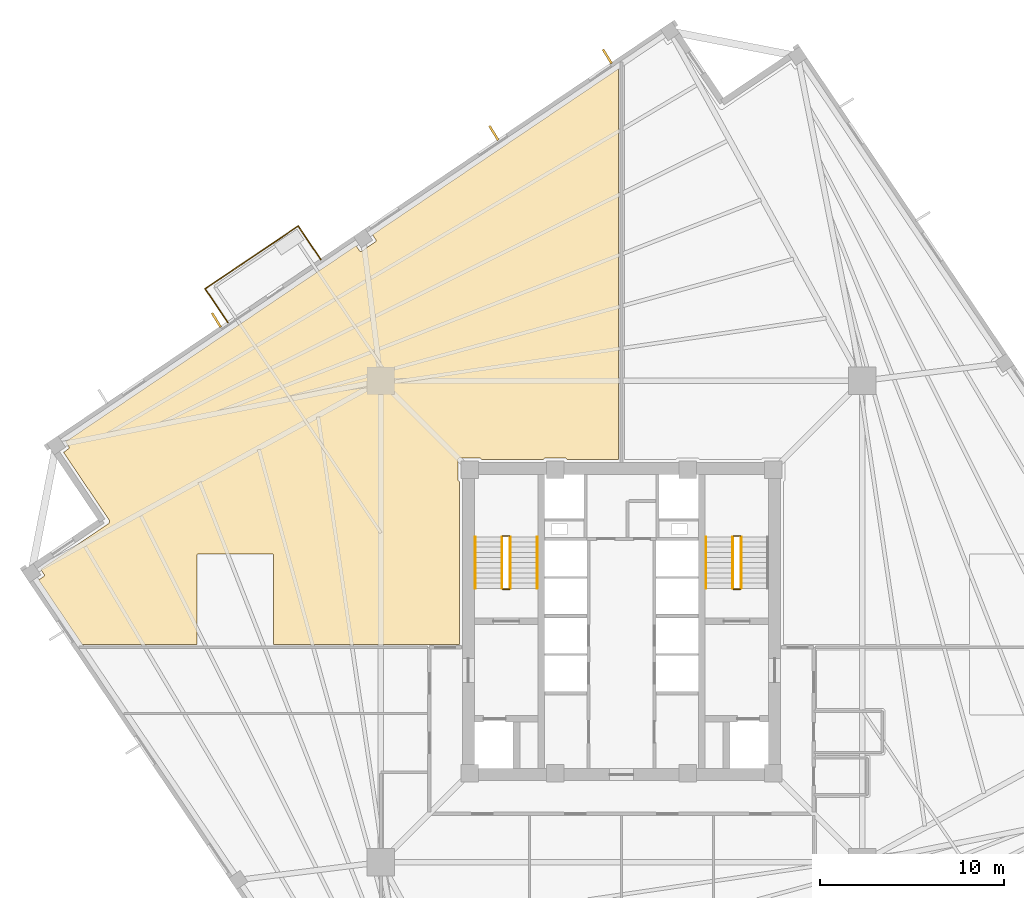
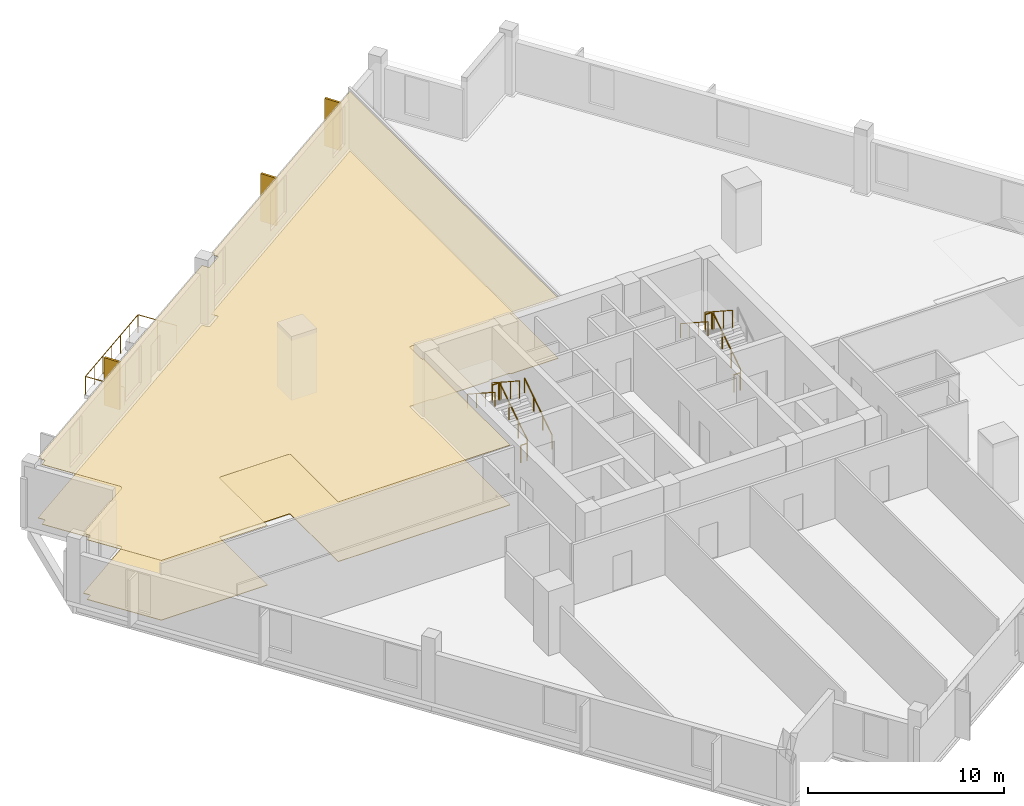
# One storey, part 7 of 8: 14 railings, 5 coverings.
"""IFC4 building model written with IfcOpenShell, lengths in metres."""

from ifc_helpers import new_model, si_unit, direction, frame, origin, origin_2d, place, context, subcontext, project, spatial, polyline, rectangle, circle, outline, extrude, source, transform, mapped, material, layer, layer_set, type_object, element, save


model = new_model("IFC4")

# Units and contexts
model_context = context("Model", 3, precision=1e-05, world=origin(), true_north=direction((0.0, 1.0)))
body_context = subcontext(model_context, "Body", "Model", "MODEL_VIEW")
ifc_project = project(units=[si_unit("LENGTHUNIT", "METRE"), si_unit("AREAUNIT", "SQUARE_METRE"), si_unit("VOLUMEUNIT", "CUBIC_METRE"), si_unit("PLANEANGLEUNIT", "RADIAN"), si_unit("MASSUNIT", "GRAM", prefix="KILO"), si_unit("THERMODYNAMICTEMPERATUREUNIT", "KELVIN")], contexts=[model_context])

# Site, building, storey
site_placement = place(None, origin())
site = spatial("IfcSite", under=ifc_project, at=site_placement, CompositionType="ELEMENT")
building_placement = place(site_placement, origin())
building = spatial("IfcBuilding", under=site, at=building_placement, Name="Kosmvard Interchange Tower", CompositionType="ELEMENT")
storey_placement = place(building_placement, frame((0.0, 0.0, 148.39990234375)))
storey = spatial("IfcBuildingStorey", under=building, at=storey_placement, Name="L35", CompositionType="ELEMENT", Elevation=148.39990234375)

# Coverings
ifc_material_1 = material(Name="Acoustic gypsum ceiling tile")
ifc_layer_1 = layer(ifc_material_1, 0.02490234375, Name="Acoustic gypsum ceiling tile")
ifc_layer_set_1 = layer_set([ifc_layer_1], Name="Acoustic gypsum ceiling tile")
covering_type_1 = type_object("IfcCoveringType", Name="Acoustic Perforated Suspended Ceiling 25", PredefinedType="CEILING", material=ifc_layer_set_1)
covering_1_placement = place(storey_placement, frame((0.0, 0.0, 3.715087890625)))
element("IfcCovering", 1, at=covering_1_placement, inside=storey, type_object=covering_type_1, Name="L35 Acoustic Ceiling L35-OPNW", PredefinedType="CEILING", context=body_context, shape_type="SweptSolid", body=[
    extrude(outline(polyline([(-27.832763671875, 5.421630859375), (-27.833984375, 5.41455078125), (-27.83544921875, 5.40673828125), (-27.837158203125, 5.3994140625), (-27.83935546875, 5.39208984375), (-27.841796875, 5.385009765625), (-27.844970703125, 5.377685546875), (-27.847900390625, 5.37109375), (-27.8515625, 5.3642578125), (-27.85546875, 5.35791015625), (-27.859619140625, 5.351318359375), (-27.864013671875, 5.345458984375), (-27.869140625, 5.33935546875), (-27.8740234375, 5.333740234375), (-27.87939453125, 5.328369140625), (-27.884765625, 5.3232421875), (-27.890869140625, 5.318115234375), (-27.89697265625, 5.313720703125), (-27.900146484375, 5.3115234375), (-31.57275390625, 2.834228515625), (-31.38525390625, 2.556640625), (-31.38134765625, 2.5498046875), (-31.3779296875, 2.542724609375), (-31.375244140625, 2.535400390625), (-31.373291015625, 2.52783203125), (-31.3720703125, 2.52001953125), (-31.37158203125, 2.51220703125), (-31.3720703125, 2.50439453125), (-31.373046875, 2.49658203125), (-31.375, 2.489013671875), (-31.377685546875, 2.481689453125), (-31.380859375, 2.474365234375), (-31.385009765625, 2.4677734375), (-31.3896484375, 2.46142578125), (-31.394775390625, 2.45556640625), (-31.400634765625, 2.4501953125), (-31.406982421875, 2.445556640625), (-31.6845703125, 2.25830078125), (-29.3251953125, -1.239990234375), (-23.080078125, -1.239990234375), (-23.080078125, 3.60009765625), (-23.07958984375, 3.60791015625), (-23.078369140625, 3.61572265625), (-23.07666015625, 3.623291015625), (-23.073974609375, 3.630615234375), (-23.070556640625, 3.6376953125), (-23.06640625, 3.64453125), (-23.061767578125, 3.650634765625), (-23.056640625, 3.656494140625), (-23.05078125, 3.661865234375), (-23.04443359375, 3.66650390625), (-23.03759765625, 3.670654296875), (-23.030517578125, 3.673828125), (-23.023193359375, 3.676513671875), (-23.015625, 3.678466796875), (-23.0078125, 3.6796875), (-23.0, 3.679931640625), (-19.0, 3.679931640625), (-18.9921875, 3.6796875), (-18.984375, 3.678466796875), (-18.976806640625, 3.676513671875), (-18.969482421875, 3.673828125), (-18.96240234375, 3.670654296875), (-18.95556640625, 3.66650390625), (-18.94921875, 3.661865234375), (-18.943359375, 3.656494140625), (-18.938232421875, 3.650634765625), (-18.93359375, 3.64453125), (-18.929443359375, 3.6376953125), (-18.926025390625, 3.630615234375), (-18.92333984375, 3.623291015625), (-18.921630859375, 3.61572265625), (-18.92041015625, 3.60791015625), (-18.919921875, 3.60009765625), (-18.919921875, -1.239990234375), (-10.10009765625, -1.239990234375), (-10.09619140625, -1.239990234375), (-10.088623046875, -1.240478515625), (-10.080810546875, -1.2412109375), (-10.07373046875, -1.242431640625), (-10.06591796875, -1.243896484375), (-10.061279296875, -1.2451171875), (-8.804931640625, -1.2451171875), (-8.804931640625, 7.614990234375), (-8.812744140625, 7.615478515625), (-8.820556640625, 7.616455078125), (-8.828125, 7.618408203125), (-8.835693359375, 7.62109375), (-8.8427734375, 7.62451171875), (-8.849365234375, 7.62841796875), (-8.855712890625, 7.633056640625), (-8.861572265625, 7.638427734375), (-8.866943359375, 7.644287109375), (-8.87158203125, 7.650634765625), (-8.87548828125, 7.6572265625), (-8.87890625, 7.664306640625), (-8.881591796875, 7.671875), (-8.883544921875, 7.679443359375), (-8.884521484375, 7.687255859375), (-8.885009765625, 7.695068359375), (-8.885009765625, 8.804931640625), (-8.884521484375, 8.812744140625), (-8.883544921875, 8.820556640625), (-8.881591796875, 8.828125), (-8.87890625, 8.835693359375), (-8.87548828125, 8.8427734375), (-8.87158203125, 8.849365234375), (-8.866943359375, 8.855712890625), (-8.861572265625, 8.861572265625), (-8.855712890625, 8.866943359375), (-8.849365234375, 8.87158203125), (-8.8427734375, 8.87548828125), (-8.835693359375, 8.87890625), (-8.828125, 8.881591796875), (-8.820556640625, 8.883544921875), (-8.812744140625, 8.884521484375), (-8.804931640625, 8.885009765625), (-7.695068359375, 8.885009765625), (-7.687255859375, 8.884521484375), (-7.679443359375, 8.883544921875), (-7.671875, 8.881591796875), (-7.664306640625, 8.87890625), (-7.6572265625, 8.87548828125), (-7.650634765625, 8.87158203125), (-7.644287109375, 8.866943359375), (-7.638427734375, 8.861572265625), (-7.633056640625, 8.855712890625), (-7.62841796875, 8.849365234375), (-7.62451171875, 8.8427734375), (-7.62109375, 8.835693359375), (-7.618408203125, 8.828125), (-7.616455078125, 8.820556640625), (-7.615478515625, 8.812744140625), (-7.614990234375, 8.804931640625), (-4.235107421875, 8.804931640625), (-4.234619140625, 8.812744140625), (-4.2333984375, 8.820556640625), (-4.2314453125, 8.828125), (-4.22900390625, 8.835693359375), (-4.2255859375, 8.8427734375), (-4.221435546875, 8.849365234375), (-4.216796875, 8.855712890625), (-4.211669921875, 8.861572265625), (-4.205810546875, 8.866943359375), (-4.199462890625, 8.87158203125), (-4.192626953125, 8.87548828125), (-4.185546875, 8.87890625), (-4.17822265625, 8.881591796875), (-4.170654296875, 8.883544921875), (-4.162841796875, 8.884521484375), (-4.155029296875, 8.885009765625), (-3.044921875, 8.885009765625), (-3.037109375, 8.884521484375), (-3.029296875, 8.883544921875), (-3.021728515625, 8.881591796875), (-3.014404296875, 8.87890625), (-3.00732421875, 8.87548828125), (-3.00048828125, 8.87158203125), (-2.994140625, 8.866943359375), (-2.988525390625, 8.861572265625), (-2.983154296875, 8.855712890625), (-2.978515625, 8.849365234375), (-2.974365234375, 8.8427734375), (-2.97119140625, 8.835693359375), (-2.968505859375, 8.828125), (-2.966552734375, 8.820556640625), (-2.96533203125, 8.812744140625), (-2.965087890625, 8.804931640625), (-0.159912109375, 8.804931640625), (-0.159912109375, 30.053466796875), (-13.5390625, 21.029296875), (-13.351806640625, 20.75146484375), (-13.34765625, 20.744873046875), (-13.34423828125, 20.73779296875), (-13.341552734375, 20.73046875), (-13.339599609375, 20.72265625), (-13.33837890625, 20.715087890625), (-13.338134765625, 20.70703125), (-13.33837890625, 20.69921875), (-13.339599609375, 20.69140625), (-13.34130859375, 20.683837890625), (-13.343994140625, 20.676513671875), (-13.347412109375, 20.66943359375), (-13.351318359375, 20.66259765625), (-13.35595703125, 20.65625), (-13.361328125, 20.650390625), (-13.366943359375, 20.645263671875), (-13.373291015625, 20.640380859375), (-14.127685546875, 20.131591796875), (-14.134521484375, 20.12744140625), (-14.1416015625, 20.124267578125), (-14.14892578125, 20.12158203125), (-14.156494140625, 20.11962890625), (-14.164306640625, 20.118408203125), (-14.172119140625, 20.117919921875), (-14.179931640625, 20.1181640625), (-14.187744140625, 20.119384765625), (-14.1953125, 20.121337890625), (-14.202880859375, 20.123779296875), (-14.2099609375, 20.127197265625), (-14.216552734375, 20.131103515625), (-14.222900390625, 20.1357421875), (-14.228759765625, 20.14111328125), (-14.234130859375, 20.14697265625), (-14.23876953125, 20.153076171875), (-14.42626953125, 20.430908203125), (-30.223388671875, 9.775390625), (-30.0361328125, 9.497802734375), (-30.031982421875, 9.490966796875), (-30.028564453125, 9.48388671875), (-30.02587890625, 9.4765625), (-30.024169921875, 9.468994140625), (-30.02294921875, 9.461181640625), (-30.0224609375, 9.453369140625), (-30.022705078125, 9.445556640625), (-30.02392578125, 9.437744140625), (-30.02587890625, 9.43017578125), (-30.0283203125, 9.4228515625), (-30.03173828125, 9.41552734375), (-30.03564453125, 9.408935546875), (-30.040283203125, 9.402587890625), (-30.045654296875, 9.396728515625), (-30.051513671875, 9.391357421875), (-30.0576171875, 9.38671875), (-30.33544921875, 9.199462890625), (-27.858154296875, 5.52685546875), (-27.856201171875, 5.5234375), (-27.852294921875, 5.51708984375), (-27.8486328125, 5.51025390625), (-27.845458984375, 5.503662109375), (-27.84228515625, 5.496337890625), (-27.83984375, 5.489501953125), (-27.837646484375, 5.48193359375), (-27.835693359375, 5.474853515625), (-27.834228515625, 5.467041015625), (-27.8330078125, 5.459716796875), (-27.832275390625, 5.451904296875), (-27.831787109375, 5.444580078125), (-27.831787109375, 5.436767578125), (-27.83203125, 5.429443359375), (-27.832763671875, 5.421630859375)])), origin(), (0.0, 0.0, 1.0), 0.02490234375),
])
ifc_material_2 = material(Name="Polished terrazzo flooring")
ifc_layer_2 = layer(ifc_material_2, 0.030029296875, Name="Polished terrazzo flooring")
ifc_layer_set_2 = layer_set([ifc_layer_2], Name="Polished terrazzo flooring")
covering_type_2 = type_object("IfcCoveringType", Name="Heavy-Duty Terrazzo & Porcelain Flooring 30", PredefinedType="FLOORING", material=ifc_layer_set_2)
covering_2_placement = place(storey_placement, origin())
element("IfcCovering", 2, at=covering_2_placement, inside=storey, type_object=covering_type_2, Name="L35 Floor Finish L35-OPNW", PredefinedType="FLOORING", context=body_context, shape_type="SweptSolid", body=[
    extrude(outline(polyline([(-27.832763671875, 5.421630859375), (-27.833984375, 5.41455078125), (-27.83544921875, 5.40673828125), (-27.837158203125, 5.3994140625), (-27.83935546875, 5.39208984375), (-27.841796875, 5.385009765625), (-27.844970703125, 5.377685546875), (-27.847900390625, 5.37109375), (-27.8515625, 5.3642578125), (-27.85546875, 5.35791015625), (-27.859619140625, 5.351318359375), (-27.864013671875, 5.345458984375), (-27.869140625, 5.33935546875), (-27.8740234375, 5.333740234375), (-27.87939453125, 5.328369140625), (-27.884765625, 5.3232421875), (-27.890869140625, 5.318115234375), (-27.89697265625, 5.313720703125), (-27.900146484375, 5.3115234375), (-31.57275390625, 2.834228515625), (-31.38525390625, 2.556640625), (-31.38134765625, 2.5498046875), (-31.3779296875, 2.542724609375), (-31.375244140625, 2.535400390625), (-31.373291015625, 2.52783203125), (-31.3720703125, 2.52001953125), (-31.37158203125, 2.51220703125), (-31.3720703125, 2.50439453125), (-31.373046875, 2.49658203125), (-31.375, 2.489013671875), (-31.377685546875, 2.481689453125), (-31.380859375, 2.474365234375), (-31.385009765625, 2.4677734375), (-31.3896484375, 2.46142578125), (-31.394775390625, 2.45556640625), (-31.400634765625, 2.4501953125), (-31.406982421875, 2.445556640625), (-31.6845703125, 2.25830078125), (-29.3251953125, -1.239990234375), (-23.080078125, -1.239990234375), (-23.080078125, 3.60009765625), (-23.07958984375, 3.60791015625), (-23.078369140625, 3.61572265625), (-23.07666015625, 3.623291015625), (-23.073974609375, 3.630615234375), (-23.070556640625, 3.6376953125), (-23.06640625, 3.64453125), (-23.061767578125, 3.650634765625), (-23.056640625, 3.656494140625), (-23.05078125, 3.661865234375), (-23.04443359375, 3.66650390625), (-23.03759765625, 3.670654296875), (-23.030517578125, 3.673828125), (-23.023193359375, 3.676513671875), (-23.015625, 3.678466796875), (-23.0078125, 3.6796875), (-23.0, 3.679931640625), (-19.0, 3.679931640625), (-18.9921875, 3.6796875), (-18.984375, 3.678466796875), (-18.976806640625, 3.676513671875), (-18.969482421875, 3.673828125), (-18.96240234375, 3.670654296875), (-18.95556640625, 3.66650390625), (-18.94921875, 3.661865234375), (-18.943359375, 3.656494140625), (-18.938232421875, 3.650634765625), (-18.93359375, 3.64453125), (-18.929443359375, 3.6376953125), (-18.926025390625, 3.630615234375), (-18.92333984375, 3.623291015625), (-18.921630859375, 3.61572265625), (-18.92041015625, 3.60791015625), (-18.919921875, 3.60009765625), (-18.919921875, -1.239990234375), (-10.10009765625, -1.239990234375), (-10.09619140625, -1.239990234375), (-10.088623046875, -1.240478515625), (-10.080810546875, -1.2412109375), (-10.07373046875, -1.242431640625), (-10.06591796875, -1.243896484375), (-10.061279296875, -1.2451171875), (-8.804931640625, -1.2451171875), (-8.804931640625, 7.614990234375), (-8.812744140625, 7.615478515625), (-8.820556640625, 7.616455078125), (-8.828125, 7.618408203125), (-8.835693359375, 7.62109375), (-8.8427734375, 7.62451171875), (-8.849365234375, 7.62841796875), (-8.855712890625, 7.633056640625), (-8.861572265625, 7.638427734375), (-8.866943359375, 7.644287109375), (-8.87158203125, 7.650634765625), (-8.87548828125, 7.6572265625), (-8.87890625, 7.664306640625), (-8.881591796875, 7.671875), (-8.883544921875, 7.679443359375), (-8.884521484375, 7.687255859375), (-8.885009765625, 7.695068359375), (-8.885009765625, 8.804931640625), (-8.884521484375, 8.812744140625), (-8.883544921875, 8.820556640625), (-8.881591796875, 8.828125), (-8.87890625, 8.835693359375), (-8.87548828125, 8.8427734375), (-8.87158203125, 8.849365234375), (-8.866943359375, 8.855712890625), (-8.861572265625, 8.861572265625), (-8.855712890625, 8.866943359375), (-8.849365234375, 8.87158203125), (-8.8427734375, 8.87548828125), (-8.835693359375, 8.87890625), (-8.828125, 8.881591796875), (-8.820556640625, 8.883544921875), (-8.812744140625, 8.884521484375), (-8.804931640625, 8.885009765625), (-7.695068359375, 8.885009765625), (-7.687255859375, 8.884521484375), (-7.679443359375, 8.883544921875), (-7.671875, 8.881591796875), (-7.664306640625, 8.87890625), (-7.6572265625, 8.87548828125), (-7.650634765625, 8.87158203125), (-7.644287109375, 8.866943359375), (-7.638427734375, 8.861572265625), (-7.633056640625, 8.855712890625), (-7.62841796875, 8.849365234375), (-7.62451171875, 8.8427734375), (-7.62109375, 8.835693359375), (-7.618408203125, 8.828125), (-7.616455078125, 8.820556640625), (-7.615478515625, 8.812744140625), (-7.614990234375, 8.804931640625), (-4.235107421875, 8.804931640625), (-4.234619140625, 8.812744140625), (-4.2333984375, 8.820556640625), (-4.2314453125, 8.828125), (-4.22900390625, 8.835693359375), (-4.2255859375, 8.8427734375), (-4.221435546875, 8.849365234375), (-4.216796875, 8.855712890625), (-4.211669921875, 8.861572265625), (-4.205810546875, 8.866943359375), (-4.199462890625, 8.87158203125), (-4.192626953125, 8.87548828125), (-4.185546875, 8.87890625), (-4.17822265625, 8.881591796875), (-4.170654296875, 8.883544921875), (-4.162841796875, 8.884521484375), (-4.155029296875, 8.885009765625), (-3.044921875, 8.885009765625), (-3.037109375, 8.884521484375), (-3.029296875, 8.883544921875), (-3.021728515625, 8.881591796875), (-3.014404296875, 8.87890625), (-3.00732421875, 8.87548828125), (-3.00048828125, 8.87158203125), (-2.994140625, 8.866943359375), (-2.988525390625, 8.861572265625), (-2.983154296875, 8.855712890625), (-2.978515625, 8.849365234375), (-2.974365234375, 8.8427734375), (-2.97119140625, 8.835693359375), (-2.968505859375, 8.828125), (-2.966552734375, 8.820556640625), (-2.96533203125, 8.812744140625), (-2.965087890625, 8.804931640625), (-0.159912109375, 8.804931640625), (-0.159912109375, 30.053466796875), (-13.5390625, 21.029296875), (-13.351806640625, 20.75146484375), (-13.34765625, 20.744873046875), (-13.34423828125, 20.73779296875), (-13.341552734375, 20.73046875), (-13.339599609375, 20.72265625), (-13.33837890625, 20.715087890625), (-13.338134765625, 20.70703125), (-13.33837890625, 20.69921875), (-13.339599609375, 20.69140625), (-13.34130859375, 20.683837890625), (-13.343994140625, 20.676513671875), (-13.347412109375, 20.66943359375), (-13.351318359375, 20.66259765625), (-13.35595703125, 20.65625), (-13.361328125, 20.650390625), (-13.366943359375, 20.645263671875), (-13.373291015625, 20.640380859375), (-14.127685546875, 20.131591796875), (-14.134521484375, 20.12744140625), (-14.1416015625, 20.124267578125), (-14.14892578125, 20.12158203125), (-14.156494140625, 20.11962890625), (-14.164306640625, 20.118408203125), (-14.172119140625, 20.117919921875), (-14.179931640625, 20.1181640625), (-14.187744140625, 20.119384765625), (-14.1953125, 20.121337890625), (-14.202880859375, 20.123779296875), (-14.2099609375, 20.127197265625), (-14.216552734375, 20.131103515625), (-14.222900390625, 20.1357421875), (-14.228759765625, 20.14111328125), (-14.234130859375, 20.14697265625), (-14.23876953125, 20.153076171875), (-14.42626953125, 20.430908203125), (-30.223388671875, 9.775390625), (-30.0361328125, 9.497802734375), (-30.031982421875, 9.490966796875), (-30.028564453125, 9.48388671875), (-30.02587890625, 9.4765625), (-30.024169921875, 9.468994140625), (-30.02294921875, 9.461181640625), (-30.0224609375, 9.453369140625), (-30.022705078125, 9.445556640625), (-30.02392578125, 9.437744140625), (-30.02587890625, 9.43017578125), (-30.0283203125, 9.4228515625), (-30.03173828125, 9.41552734375), (-30.03564453125, 9.408935546875), (-30.040283203125, 9.402587890625), (-30.045654296875, 9.396728515625), (-30.051513671875, 9.391357421875), (-30.0576171875, 9.38671875), (-30.33544921875, 9.199462890625), (-27.858154296875, 5.52685546875), (-27.856201171875, 5.5234375), (-27.852294921875, 5.51708984375), (-27.8486328125, 5.51025390625), (-27.845458984375, 5.503662109375), (-27.84228515625, 5.496337890625), (-27.83984375, 5.489501953125), (-27.837646484375, 5.48193359375), (-27.835693359375, 5.474853515625), (-27.834228515625, 5.467041015625), (-27.8330078125, 5.459716796875), (-27.832275390625, 5.451904296875), (-27.831787109375, 5.444580078125), (-27.831787109375, 5.436767578125), (-27.83203125, 5.429443359375), (-27.832763671875, 5.421630859375)])), origin(), (0.0, 0.0, 1.0), 0.030029296875),
])
ifc_material_3 = material(Name="Architectural anodised aluminium", Category="aluminium")
ifc_layer_3 = layer(ifc_material_3, 0.1201171875, Name="Architectural anodised aluminium")
ifc_layer_set_3 = layer_set([ifc_layer_3], Name="Architectural anodised aluminium")
covering_type_3 = type_object("IfcCoveringType", Name="Rotating Vertical Sun-Breaker Fin 900x120 Aluminium", PredefinedType="CLADDING", material=ifc_layer_set_3)
shared_shape_1 = source(origin(), body_context, "Body", "SweptSolid", [
    extrude(rectangle(XDim=0.89990234375, YDim=0.1201171875, at=origin_2d()), origin(), (0.0, 0.0, 1.0), 2.9599609375),
])
for number, where, z_axis, x_axis, name in (
    (3, (-0.774169921875, 30.718994140625, 0.0400390625), (0.0, 0.0, 1.0), (-0.522796160442, 0.852457726006, 0.0), "L35 Rotating Vertical Sun-Breaker Fin 09"),
    (4, (-6.943115234375, 26.557861328125, 0.0400390625), (0.0, 0.0, 1.0), (-0.522796160442, 0.852457726006, 0.0), "L35 Rotating Vertical Sun-Breaker Fin 10"),
    (5, (-22.02294921875, 16.38623046875, 0.0400390625), (0.0, 0.0, 1.0), (-0.522796160442, 0.852457726006, 0.0), "L35 Rotating Vertical Sun-Breaker Fin 11"),
):
    element("IfcCovering", number, at=place(storey_placement, frame(where, z_axis=z_axis, x_axis=x_axis)), inside=storey, type_object=covering_type_3, Name=name, PredefinedType="CLADDING", context=body_context, shape_type="MappedRepresentation", body=[
        mapped(shared_shape_1, transform((0.0, 0.0, 0.0), scale=1.0)),
    ])

# Railings
ifc_material_4 = material(Name="Steel S355", Category="steel")
railing_type_1 = type_object("IfcRailingType", Name="Observation & Balcony Glass-Infill Balustrade 1150", PredefinedType="BALUSTRADE", material=ifc_material_4)
shared_shape_2 = source(origin(), body_context, "Body", "SweptSolid", [
    extrude(circle(Radius=0.02392578125, at=origin_2d()), frame((0.0, 0.0, 1.1259765625), z_axis=(0.559173597279, -0.829050594418, 0.0), x_axis=(0.829050594418, 0.559173597279, 0.0)), (0.0, 0.0, 1.0), 2.2001953125),
    extrude(circle(Radius=0.02099609375, at=origin_2d()), origin(), (0.0, 0.0, 1.0), 1.101806640625),
    extrude(circle(Radius=0.02099609375, at=origin_2d()), frame((0.615234375, -0.912109375, 0.0)), (0.0, 0.0, 1.0), 1.101806640625),
    extrude(circle(Radius=0.02099609375, at=origin_2d()), frame((1.230224609375, -1.823974609375, 0.0)), (0.0, 0.0, 1.0), 1.101806640625),
])
railing_1_placement = place(storey_placement, frame((-22.6328125, 18.0859375, 0.0)))
element("IfcRailing", 6, at=railing_1_placement, inside=storey, type_object=railing_type_1, Name="L35 Outdoor Terrace Guard BAL-L35-NE-C", PredefinedType="BALUSTRADE", context=body_context, shape_type="MappedRepresentation", body=[
    mapped(shared_shape_2, transform((0.0, 0.0, 0.0), scale=1.0)),
])
shared_shape_3 = source(origin(), body_context, "Body", "SweptSolid", [
    extrude(circle(Radius=0.02392578125, at=origin_2d()), frame((0.0, 0.0, 1.1259765625), z_axis=(-0.559173597279, 0.829050594418, 0.0), x_axis=(-0.829050594418, -0.559173597279, 0.0)), (0.0, 0.0, 1.0), 2.2001953125),
    extrude(circle(Radius=0.02099609375, at=origin_2d()), origin(), (0.0, 0.0, 1.0), 1.101806640625),
    extrude(circle(Radius=0.02099609375, at=origin_2d()), frame((-0.615234375, 0.912109375, 0.0)), (0.0, 0.0, 1.0), 1.101806640625),
    extrude(circle(Radius=0.02099609375, at=origin_2d()), frame((-1.230224609375, 1.823974609375, 0.0)), (0.0, 0.0, 1.0), 1.101806640625),
])
railing_2_placement = place(storey_placement, frame((-16.345458984375, 19.673095703125, 0.0)))
element("IfcRailing", 7, at=railing_2_placement, inside=storey, type_object=railing_type_1, Name="L35 Outdoor Terrace Guard BAL-L35-NE-A", PredefinedType="BALUSTRADE", context=body_context, shape_type="MappedRepresentation", body=[
    mapped(shared_shape_3, transform((0.0, 0.0, 0.0), scale=1.0)),
])
shared_shape_4 = source(origin(), body_context, "Body", "SweptSolid", [
    extrude(circle(Radius=0.02392578125, at=origin_2d()), frame((0.0, 0.0, 1.1259765625), z_axis=(-0.829033294248, -0.55919924627, 0.0), x_axis=(0.55919924627, -0.829033294248, 0.0)), (0.0, 0.0, 1.0), 6.10009765625),
    extrude(circle(Radius=0.02099609375, at=origin_2d()), origin(), (0.0, 0.0, 1.0), 1.101806640625),
    extrude(circle(Radius=0.02099609375, at=origin_2d()), frame((-0.8427734375, -0.568603515625, 0.0)), (0.0, 0.0, 1.0), 1.101806640625),
    extrude(circle(Radius=0.02099609375, at=origin_2d()), frame((-1.685791015625, -1.136962890625, 0.0)), (0.0, 0.0, 1.0), 1.101806640625),
    extrude(circle(Radius=0.02099609375, at=origin_2d()), frame((-2.528564453125, -1.70556640625, 0.0)), (0.0, 0.0, 1.0), 1.101806640625),
    extrude(circle(Radius=0.02099609375, at=origin_2d()), frame((-3.371337890625, -2.274169921875, 0.0)), (0.0, 0.0, 1.0), 1.101806640625),
    extrude(circle(Radius=0.02099609375, at=origin_2d()), frame((-4.21435546875, -2.842529296875, 0.0)), (0.0, 0.0, 1.0), 1.101806640625),
    extrude(circle(Radius=0.02099609375, at=origin_2d()), frame((-5.05712890625, -3.4111328125, 0.0)), (0.0, 0.0, 1.0), 1.101806640625),
])
railing_3_placement = place(storey_placement, frame((-17.57568359375, 21.4970703125, 0.0)))
element("IfcRailing", 8, at=railing_3_placement, inside=storey, type_object=railing_type_1, Name="L35 Outdoor Terrace Guard BAL-L35-NE-B", PredefinedType="BALUSTRADE", context=body_context, shape_type="MappedRepresentation", body=[
    mapped(shared_shape_4, transform((0.0, 0.0, 0.0), scale=1.0)),
])
railing_type_2 = type_object("IfcRailingType", Name="Stair & Terrace Safety Guardrail 1100 Steel", PredefinedType="GUARDRAIL", material=ifc_material_4)
shared_shape_5 = source(origin(), body_context, "Body", "SweptSolid", [
    extrude(circle(Radius=0.02392578125, at=origin_2d()), frame((0.0, 0.0, 1.076171875), z_axis=(-1.0, 0.0, 0.0), x_axis=(0.0, -1.0, 0.0)), (0.0, 0.0, 1.0), 0.35986328125),
    extrude(circle(Radius=0.02099609375, at=origin_2d()), origin(), (0.0, 0.0, 1.0), 1.052001953125),
    extrude(circle(Radius=0.02099609375, at=origin_2d()), frame((-0.35986328125, 0.0, 0.0)), (0.0, 0.0, 1.0), 1.052001953125),
])
for number, where, name in (
    (9, (-6.090087890625, 4.64990234375, 2.0), "L35 ST-1 stair guard 2"),
    (10, (-6.090087890625, 1.75, 0.0), "L35 ST-1 stair guard 4"),
    (11, (6.449951171875, 4.64990234375, 2.0), "L35 ST-2 stair guard 2"),
    (12, (6.449951171875, 1.75, 0.0), "L35 ST-2 stair guard 4"),
):
    element("IfcRailing", number, at=place(storey_placement, frame(where)), inside=storey, type_object=railing_type_2, Name=name, PredefinedType="GUARDRAIL", context=body_context, shape_type="MappedRepresentation", body=[
        mapped(shared_shape_5, transform((0.0, 0.0, 0.0), scale=1.0)),
    ])
shared_shape_6 = source(origin(), body_context, "Body", "SweptSolid", [
    extrude(circle(Radius=0.02392578125, at=origin_2d()), frame((0.0, 0.0, 1.076171875), z_axis=(0.0, 0.838705829183, 0.544584733623), x_axis=(-1.0, 0.0, 0.0)), (0.0, 0.0, 1.0), 3.338623046875),
    extrude(circle(Radius=0.02099609375, at=origin_2d()), origin(), (0.0, 0.0, 1.0), 1.052001953125),
    extrude(circle(Radius=0.02099609375, at=origin_2d()), frame((0.0, 0.933349609375, 0.60595703125)), (0.0, 0.0, 1.0), 1.052001953125),
    extrude(circle(Radius=0.02099609375, at=origin_2d()), frame((0.0, 1.86669921875, 1.212158203125)), (0.0, 0.0, 1.0), 1.052001953125),
    extrude(circle(Radius=0.02099609375, at=origin_2d()), frame((0.0, 2.800048828125, 1.818115234375)), (0.0, 0.0, 1.0), 1.052001953125),
])
for number, where, name in (
    (13, (-6.0400390625, 1.800048828125, 0.181884765625), "L35 ST-1 stair guard 1"),
    (14, (6.5, 1.800048828125, 0.181884765625), "L35 ST-2 stair guard 1"),
):
    element("IfcRailing", number, at=place(storey_placement, frame(where)), inside=storey, type_object=railing_type_2, Name=name, PredefinedType="GUARDRAIL", context=body_context, shape_type="MappedRepresentation", body=[
        mapped(shared_shape_6, transform((0.0, 0.0, 0.0), scale=1.0)),
    ])
shared_shape_7 = source(origin(), body_context, "Body", "SweptSolid", [
    extrude(circle(Radius=0.02392578125, at=origin_2d()), frame((0.0, 0.0, 1.076171875), z_axis=(0.0, -0.838705829183, 0.544584733623), x_axis=(1.0, 0.0, 0.0)), (0.0, 0.0, 1.0), 3.338623046875),
    extrude(circle(Radius=0.02099609375, at=origin_2d()), origin(), (0.0, 0.0, 1.0), 1.052001953125),
    extrude(circle(Radius=0.02099609375, at=origin_2d()), frame((0.0, -0.933349609375, 0.60595703125)), (0.0, 0.0, 1.0), 1.052001953125),
    extrude(circle(Radius=0.02099609375, at=origin_2d()), frame((0.0, -1.86669921875, 1.212158203125)), (0.0, 0.0, 1.0), 1.052001953125),
    extrude(circle(Radius=0.02099609375, at=origin_2d()), frame((0.0, -2.800048828125, 1.818115234375)), (0.0, 0.0, 1.0), 1.052001953125),
])
for number, where, name in (
    (15, (-6.5, 4.60009765625, 2.181884765625), "L35 ST-1 stair guard 3"),
    (16, (6.0400390625, 4.60009765625, 2.181884765625), "L35 ST-2 stair guard 3"),
):
    element("IfcRailing", number, at=place(storey_placement, frame(where)), inside=storey, type_object=railing_type_2, Name=name, PredefinedType="GUARDRAIL", context=body_context, shape_type="MappedRepresentation", body=[
        mapped(shared_shape_7, transform((0.0, 0.0, 0.0), scale=1.0)),
    ])
railing_type_3 = type_object("IfcRailingType", Name="Wall-Mounted Stair Handrail 900 Steel", PredefinedType="HANDRAIL", material=ifc_material_4)
shared_shape_8 = source(origin(), body_context, "Body", "SweptSolid", [
    extrude(circle(Radius=0.02392578125, at=origin_2d()), frame((0.0, 0.0, 0.8759765625), z_axis=(0.0, 0.838705829183, 0.544584733623), x_axis=(-1.0, 0.0, 0.0)), (0.0, 0.0, 1.0), 3.338623046875),
    extrude(circle(Radius=0.02099609375, at=origin_2d()), origin(), (0.0, 0.0, 1.0), 0.851806640625),
    extrude(circle(Radius=0.02099609375, at=origin_2d()), frame((0.0, 0.933349609375, 0.60595703125)), (0.0, 0.0, 1.0), 0.851806640625),
    extrude(circle(Radius=0.02099609375, at=origin_2d()), frame((0.0, 1.86669921875, 1.212158203125)), (0.0, 0.0, 1.0), 0.851806640625),
    extrude(circle(Radius=0.02099609375, at=origin_2d()), frame((0.0, 2.800048828125, 1.818115234375)), (0.0, 0.0, 1.0), 0.851806640625),
])
railing_4_placement = place(storey_placement, frame((-4.590087890625, 1.800048828125, 0.181884765625)))
element("IfcRailing", 17, at=railing_4_placement, inside=storey, type_object=railing_type_3, Name="L35 ST-1 stair handrail 1", PredefinedType="HANDRAIL", context=body_context, shape_type="MappedRepresentation", body=[
    mapped(shared_shape_8, transform((0.0, 0.0, 0.0), scale=1.0)),
])
shared_shape_9 = source(origin(), body_context, "Body", "SweptSolid", [
    extrude(circle(Radius=0.02392578125, at=origin_2d()), frame((0.0, 0.0, 0.8759765625), z_axis=(0.0, -0.838705829183, 0.544584733623), x_axis=(1.0, 0.0, 0.0)), (0.0, 0.0, 1.0), 3.338623046875),
    extrude(circle(Radius=0.02099609375, at=origin_2d()), origin(), (0.0, 0.0, 1.0), 0.851806640625),
    extrude(circle(Radius=0.02099609375, at=origin_2d()), frame((0.0, -0.933349609375, 0.60595703125)), (0.0, 0.0, 1.0), 0.851806640625),
    extrude(circle(Radius=0.02099609375, at=origin_2d()), frame((0.0, -1.86669921875, 1.212158203125)), (0.0, 0.0, 1.0), 0.851806640625),
    extrude(circle(Radius=0.02099609375, at=origin_2d()), frame((0.0, -2.800048828125, 1.818115234375)), (0.0, 0.0, 1.0), 0.851806640625),
])
for number, where, name in (
    (18, (-7.949951171875, 4.60009765625, 2.181884765625), "L35 ST-1 stair handrail 2"),
    (19, (4.590087890625, 4.60009765625, 2.181884765625), "L35 ST-2 stair handrail 2"),
):
    element("IfcRailing", number, at=place(storey_placement, frame(where)), inside=storey, type_object=railing_type_3, Name=name, PredefinedType="HANDRAIL", context=body_context, shape_type="MappedRepresentation", body=[
        mapped(shared_shape_9, transform((0.0, 0.0, 0.0), scale=1.0)),
    ])

save(model, "model.ifc")
